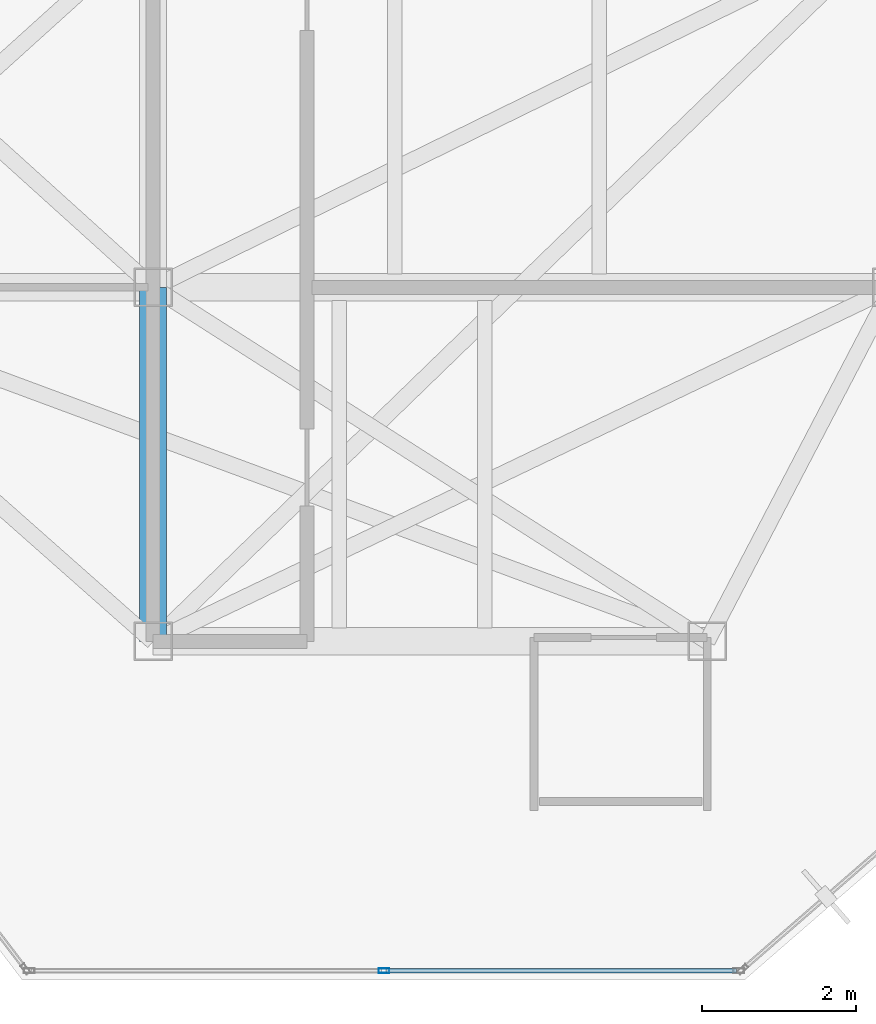
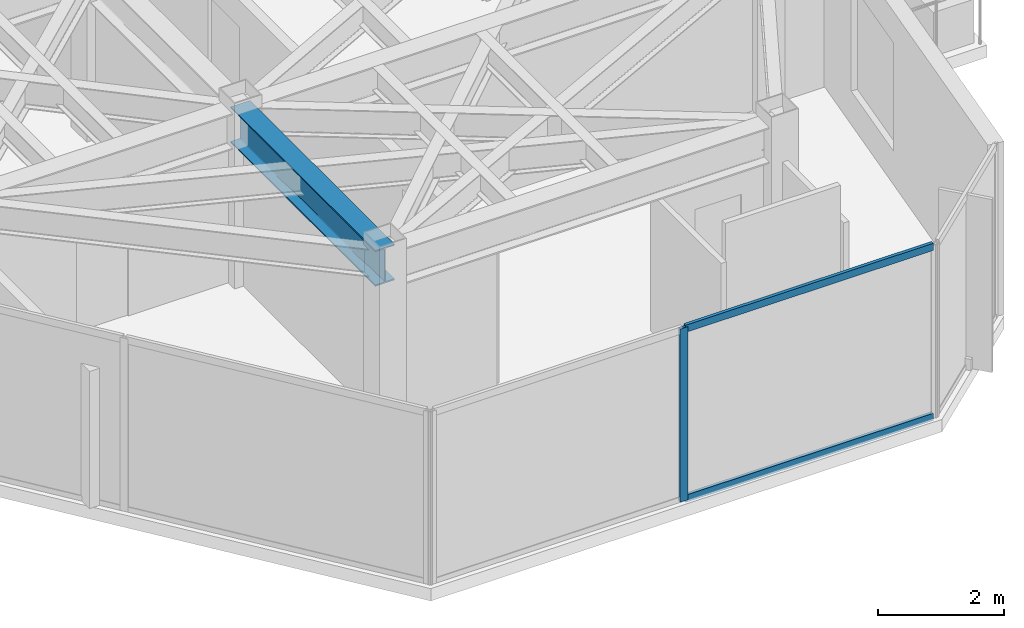
# One storey, part 12 of 20: 3 members, 1 beam, 1 element without a shape of its own.
"""IFC4 building model written with IfcOpenShell, lengths in metres."""

from ifc_helpers import new_model, si_unit, direction, frame, origin, origin_2d, place, context, subcontext, project, spatial, hollow_rectangle, i_section, extrude, material, layer, layer_set, material_profile, profile_set, type_object, element, aggregate, save


model = new_model("IFC4")

# Units and contexts
model_context = context("Model", 3, precision=1e-05, world=origin(), true_north=direction((0.0, 1.0)))
body_context = subcontext(model_context, "Body", "Model", "MODEL_VIEW")
ifc_project = project(units=[si_unit("LENGTHUNIT", "METRE"), si_unit("AREAUNIT", "SQUARE_METRE"), si_unit("VOLUMEUNIT", "CUBIC_METRE"), si_unit("PLANEANGLEUNIT", "RADIAN"), si_unit("MASSUNIT", "GRAM", prefix="KILO")], contexts=[model_context])

# Site, building, storey
site_placement = place(None, origin())
site = spatial("IfcSite", under=ifc_project, at=site_placement, CompositionType="ELEMENT")
building_placement = place(site_placement, origin())
building = spatial("IfcBuilding", under=site, at=building_placement, Name="Kravanh Interchange Tower", CompositionType="ELEMENT")
storey_placement = place(building_placement, frame((0.0, 0.0, 252.60009765625)))
storey = spatial("IfcBuildingStorey", under=building, at=storey_placement, Name="L61", CompositionType="ELEMENT", Elevation=252.60009765625)

# Curtain wall, members
ifc_material_1 = material(Name="Anodised Bronze Aluminium", Category="aluminium")
ifc_layer = layer(ifc_material_1, 0.179931640625)
ifc_layer_set = layer_set([ifc_layer], Name="Unitised Curtain Wall System CW-HTL Luxury Hotel")
curtain_wall_type = type_object("IfcCurtainWallType", Name="Unitised Curtain Wall System CW-HTL Luxury Hotel", PredefinedType="NOTDEFINED", material=ifc_layer_set)
curtain_wall_placement = place(storey_placement, origin())
curtain_wall = element("IfcCurtainWall", 1, at=curtain_wall_placement, inside=storey, type_object=curtain_wall_type, Name="L61 Unitised Curtain Wall CW-L61-03", PredefinedType="NOTDEFINED")
ifc_material_2 = material(Name="Anodised Bronze Aluminium", Category="aluminium")
ifc_material_profile_1 = material_profile(ifc_material_2, hollow_rectangle(XDim=0.06005859375, YDim=0.139892578125, WallThickness=0.00390625, at=origin_2d()), Name="ALU60X140X4")
ifc_profile_set_1 = profile_set([ifc_material_profile_1], Name="Anodised Bronze Aluminium")
member_type_1 = type_object("IfcMemberType", Name="Curtain Wall Mullion ALU60X140X4 Bronze", PredefinedType="MULLION", material=ifc_profile_set_1)
member_1_placement = place(storey_placement, frame((59.0, 17.919921875, 0.0), z_axis=(0.0, 0.0, 1.0), x_axis=(0.0, -1.0, 0.0)))
member_1 = element("IfcMember", 2, at=member_1_placement, type_object=member_type_1, Name="CW-HTL mullion 2", PredefinedType="MULLION", context=body_context, shape_type="SweptSolid", body=[
    extrude(hollow_rectangle(XDim=0.06005859375, YDim=0.139892578125, WallThickness=0.00390625, at=origin_2d()), origin(), (0.0, 0.0, 1.0), 3.35986328125),
])
ifc_material_3 = material(Name="Anodised Bronze Aluminium", Category="aluminium")
ifc_material_profile_2 = material_profile(ifc_material_3, hollow_rectangle(XDim=0.06005859375, YDim=0.139892578125, WallThickness=0.00390625, at=origin_2d()), Name="ALU60X140X4")
ifc_profile_set_2 = profile_set([ifc_material_profile_2], Name="Anodised Bronze Aluminium")
member_type_2 = type_object("IfcMemberType", Name="Curtain Wall Transom ALU60X140X4 Bronze", PredefinedType="USERDEFINED", material=ifc_profile_set_2)
member_2_placement = place(storey_placement, frame((63.58056640625, 17.919921875, 0.02978515625), z_axis=(-1.0, 0.0, 0.0), x_axis=(0.0, -1.0, 0.0)))
member_2 = element("IfcMember", 3, at=member_2_placement, type_object=member_type_2, Name="CW-HTL transom 1.1", ObjectType="TRANSOM", PredefinedType="USERDEFINED", context=body_context, shape_type="SweptSolid", body=[
    extrude(hollow_rectangle(XDim=0.06005859375, YDim=0.139892578125, WallThickness=0.00390625, at=origin_2d()), origin(), (0.0, 0.0, 1.0), 4.550537109375),
])
member_3_placement = place(storey_placement, frame((63.58056640625, 17.919921875, 3.329833984375), z_axis=(-1.0, 0.0, 0.0), x_axis=(0.0, -1.0, 0.0)))
member_3 = element("IfcMember", 4, at=member_3_placement, type_object=member_type_2, Name="CW-HTL transom 1.2", ObjectType="TRANSOM", PredefinedType="USERDEFINED", context=body_context, shape_type="SweptSolid", body=[
    extrude(hollow_rectangle(XDim=0.06005859375, YDim=0.139892578125, WallThickness=0.00390625, at=origin_2d()), origin(), (0.0, 0.0, 1.0), 4.550537109375),
])
aggregate(curtain_wall, [member_1, member_2, member_3])

# Beam
ifc_material_4 = material(Name="Structural Steel S355", Category="steel")
ifc_material_profile_3 = material_profile(ifc_material_4, i_section(OverallWidth=0.35498046875, OverallDepth=0.696044921875, WebThickness=0.015380859375, FlangeThickness=0.02490234375, FilletRadius=0.02392578125, at=origin_2d()), Name="W27X146")
ifc_profile_set_3 = profile_set([ifc_material_profile_3], Name="Structural Steel S355")
beam_type = type_object("IfcBeamType", Name="Floor Beam W27X146 Structural Steel S355", PredefinedType="BEAM", material=ifc_profile_set_3)
beam_placement = place(storey_placement, frame((56.0, 26.800048828125, 3.011962890625), z_axis=(0.0, -1.0, 0.0), x_axis=(1.0, 0.0, 0.0)))
element("IfcBeam", 5, at=beam_placement, inside=storey, type_object=beam_type, Name="L61 Primary Floor Girder 34", PredefinedType="BEAM", context=body_context, shape_type="SweptSolid", body=[
    extrude(i_section(OverallWidth=0.35498046875, OverallDepth=0.696044921875, WebThickness=0.015380859375, FlangeThickness=0.02490234375, FilletRadius=0.02392578125, at=origin_2d()), origin(), (0.0, 0.0, 1.0), 4.60009765625),
])

save(model, "model.ifc")
